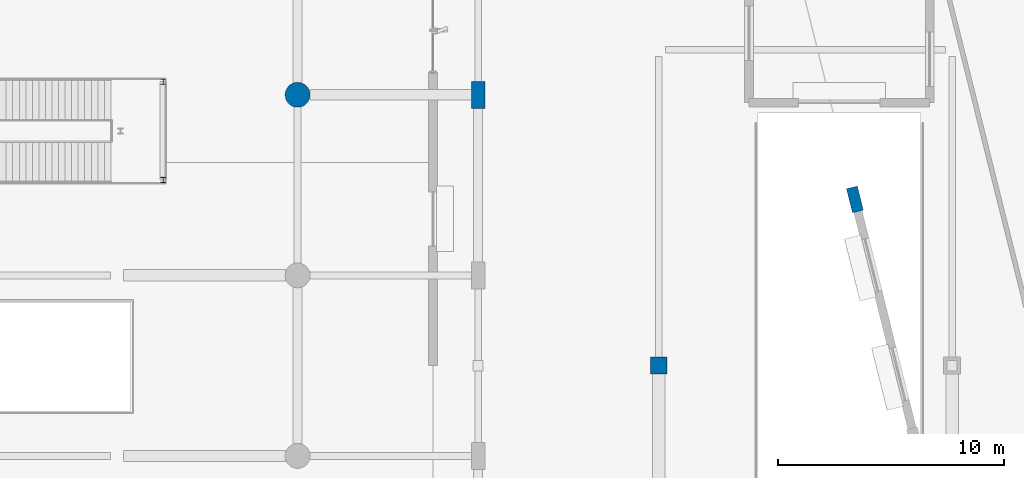
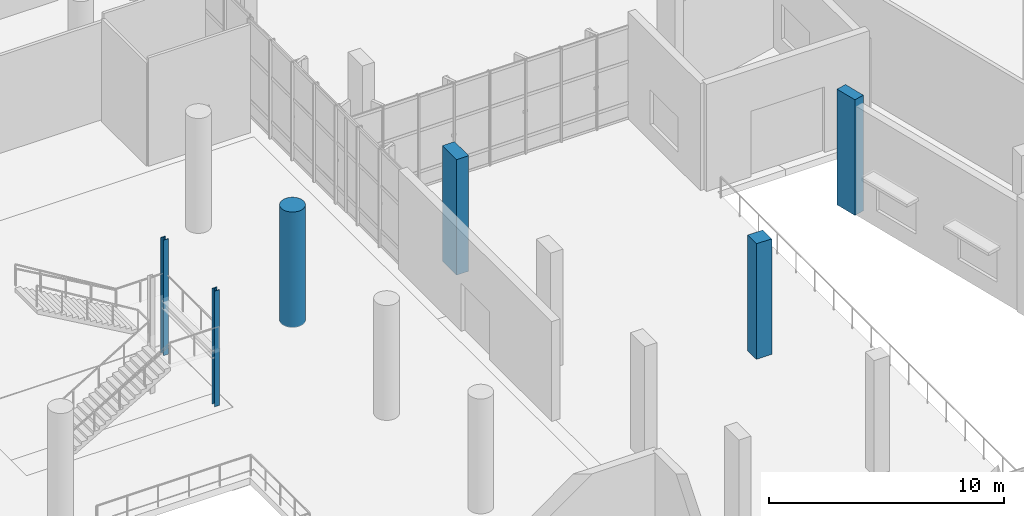
# One storey, part 18 of 163: 6 columns.
"""IFC4 building model written with IfcOpenShell, lengths in metres."""

from ifc_helpers import new_model, si_unit, direction, frame, origin, origin_2d, place, context, subcontext, project, spatial, rectangle, circle, i_section, extrude, material, material_profile, profile_set, type_object, element, save


model = new_model("IFC4")

# Units and contexts
model_context = context("Model", 3, precision=1e-05, world=origin(), true_north=direction((0.0, 1.0)))
body_context = subcontext(model_context, "Body", "Model", "MODEL_VIEW")
ifc_project = project(units=[si_unit("LENGTHUNIT", "METRE"), si_unit("AREAUNIT", "SQUARE_METRE"), si_unit("VOLUMEUNIT", "CUBIC_METRE"), si_unit("PLANEANGLEUNIT", "RADIAN"), si_unit("MASSUNIT", "GRAM", prefix="KILO")], contexts=[model_context])

# Site, building, storey
site_placement = place(None, origin())
site = spatial("IfcSite", under=ifc_project, at=site_placement, CompositionType="ELEMENT")
building_placement = place(site_placement, origin())
building = spatial("IfcBuilding", under=site, at=building_placement, Name="Khorjan Park Terminus", CompositionType="ELEMENT")
storey_placement = place(building_placement, origin())
storey = spatial("IfcBuildingStorey", under=building, at=storey_placement, Name="L00", CompositionType="ELEMENT", Elevation=0.0)

# Columns
ifc_material_1 = material(Name="Concrete C50/60", Category="concrete")
ifc_material_profile_1 = material_profile(ifc_material_1, rectangle(XDim=0.5, YDim=1.1, at=origin_2d()), Name="RC 500x1100")
ifc_profile_set_1 = profile_set([ifc_material_profile_1], Name="Concrete C50/60")
column_type_1 = type_object("IfcColumnType", Name="COL-BL1100E", PredefinedType="COLUMN", material=ifc_profile_set_1)
column_1_placement = place(storey_placement, frame((152.694, 55.366, 0.0), z_axis=(0.0, 0.0, 1.0), x_axis=(0.970295726276, 0.2419218956, 0.0)))
element("IfcColumn", 1, at=column_1_placement, inside=storey, type_object=column_type_1, Name="Structural column C-BL11 (L00 #681)", PredefinedType="COLUMN", context=body_context, shape_type="SweptSolid", body=[
    extrude(rectangle(XDim=0.5, YDim=1.1, at=origin_2d()), origin(), (0.0, 0.0, 1.0), 6.0),
])
ifc_material_profile_2 = material_profile(ifc_material_1, rectangle(XDim=0.6, YDim=1.2, at=origin_2d()), Name="RC 600x1200")
ifc_profile_set_2 = profile_set([ifc_material_profile_2], Name="Concrete C50/60")
column_type_2 = type_object("IfcColumnType", Name="COL-BL1200", PredefinedType="COLUMN", material=ifc_profile_set_2)
column_2_placement = place(storey_placement, frame((136.0, 60.0, 0.0), z_axis=(0.0, 0.0, 1.0), x_axis=(1.0, 0.0, 0.0)))
element("IfcColumn", 2, at=column_2_placement, inside=storey, type_object=column_type_2, Name="Structural column C-BL12 (L00 #487)", PredefinedType="COLUMN", context=body_context, shape_type="SweptSolid", body=[
    extrude(rectangle(XDim=0.6, YDim=1.2, at=origin_2d()), origin(), (0.0, 0.0, 1.0), 6.0),
])
ifc_material_2 = material(Name="Steel S355", Category="steel")
ifc_material_profile_3 = material_profile(ifc_material_2, i_section(OverallWidth=0.24, OverallDepth=0.24, WebThickness=0.01, FlangeThickness=0.017, FilletRadius=0.021, at=origin_2d()), Name="HEB 240")
ifc_profile_set_3 = profile_set([ifc_material_profile_3], Name="Steel S355")
column_type_3 = type_object("IfcColumnType", Name="COL-HB240", PredefinedType="COLUMN", material=ifc_profile_set_3)
for number, where, z_axis, x_axis, name in (
    (3, (122.05, 56.22, 0.0), (0.0, 0.0, 1.0), (1.0, 0.0, 0.0), "Structural column SC-H24 (L00 #1039)"),
    (4, (122.05, 60.58, 0.0), (0.0, 0.0, 1.0), (1.0, 0.0, 0.0), "Structural column SC-H24 (L00 #1042)"),
):
    element("IfcColumn", number, at=place(storey_placement, frame(where, z_axis=z_axis, x_axis=x_axis)), inside=storey, type_object=column_type_3, Name=name, PredefinedType="COLUMN", context=body_context, shape_type="SweptSolid", body=[
        extrude(i_section(OverallWidth=0.24, OverallDepth=0.24, WebThickness=0.01, FlangeThickness=0.017, FilletRadius=0.021, at=origin_2d()), origin(), (0.0, 0.0, 1.0), 6.0),
    ])
ifc_material_3 = material(Name="Concrete C40/50", Category="concrete")
ifc_material_profile_4 = material_profile(ifc_material_3, rectangle(XDim=0.75, YDim=0.75, at=origin_2d()), Name="RC 750x750")
ifc_profile_set_4 = profile_set([ifc_material_profile_4], Name="Concrete C40/50")
column_type_4 = type_object("IfcColumnType", Name="COL-RC750", PredefinedType="COLUMN", material=ifc_profile_set_4)
column_3_placement = place(storey_placement, frame((144.0, 48.0, 0.0), z_axis=(0.0, 0.0, 1.0), x_axis=(1.0, 0.0, 0.0)))
element("IfcColumn", 5, at=column_3_placement, inside=storey, type_object=column_type_4, Name="Structural column C-RC75 (L00 #935)", PredefinedType="COLUMN", context=body_context, shape_type="SweptSolid", body=[
    extrude(rectangle(XDim=0.75, YDim=0.75, at=origin_2d()), origin(), (0.0, 0.0, 1.0), 6.0),
])
ifc_material_profile_5 = material_profile(ifc_material_1, circle(Radius=0.55, at=origin_2d()), Name="RC D1100")
ifc_profile_set_5 = profile_set([ifc_material_profile_5], Name="Concrete C50/60")
column_type_5 = type_object("IfcColumnType", Name="COL-RD1100", PredefinedType="COLUMN", material=ifc_profile_set_5)
column_4_placement = place(storey_placement, frame((128.0, 60.0, 0.0), z_axis=(0.0, 0.0, 1.0), x_axis=(1.0, 0.0, 0.0)))
element("IfcColumn", 6, at=column_4_placement, inside=storey, type_object=column_type_5, Name="Structural column C-RD11 (L00 #453)", PredefinedType="COLUMN", context=body_context, shape_type="SweptSolid", body=[
    extrude(circle(Radius=0.55, at=origin_2d()), origin(), (0.0, 0.0, 1.0), 6.0),
])

save(model, "model.ifc")
